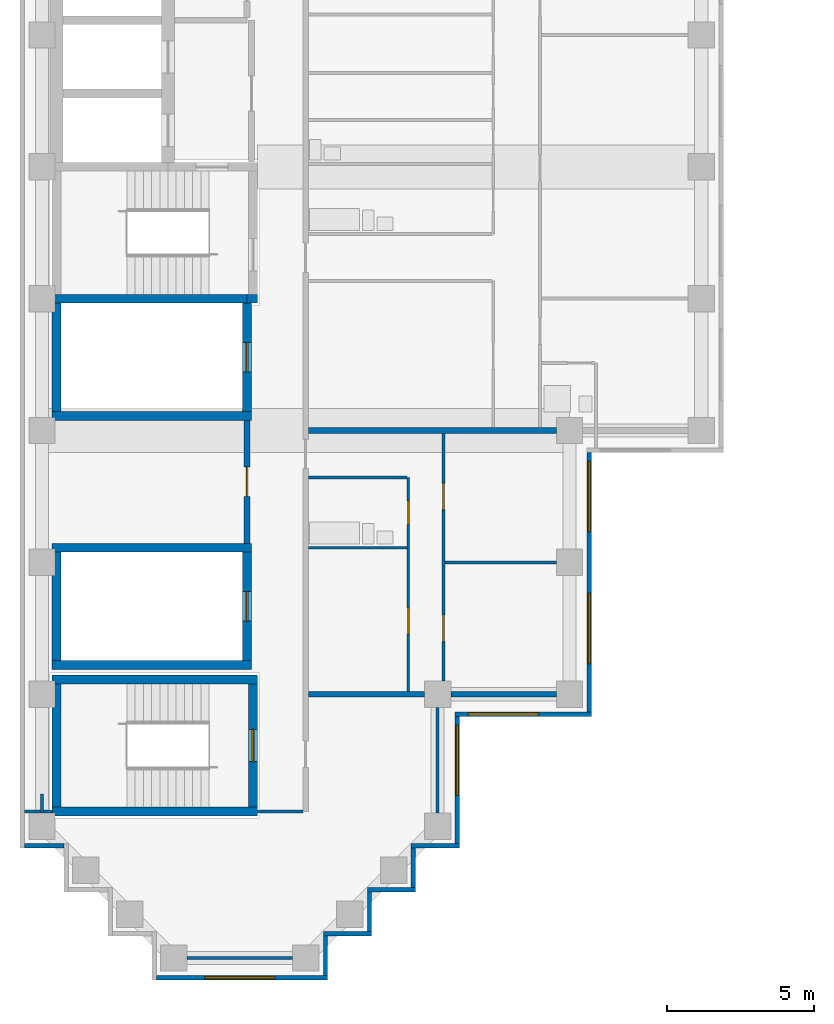
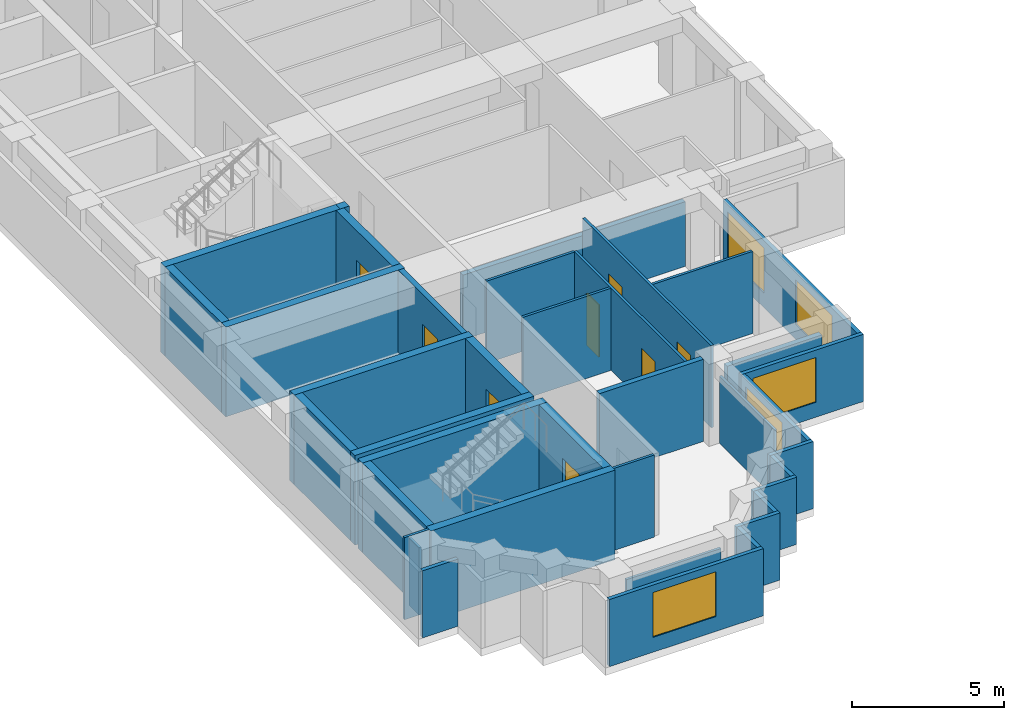
# One storey, part 2 of 10: 38 walls, 8 doors, 5 windows, 13 openings.
"""IFC4 building model written with IfcOpenShell, lengths in metres."""

from ifc_helpers import new_model, si_unit, direction, frame, frame_2d, origin, place, context, subcontext, project, spatial, rectangle, extrude, material, layer, layer_set, type_object, element, fill, save


model = new_model("IFC4")

# Units and contexts
model_context = context("Model", 3, precision=1e-05, world=origin(), true_north=direction((0.0, 1.0)))
body_context = subcontext(model_context, "Body", "Model", "MODEL_VIEW")
ifc_project = project(units=[si_unit("LENGTHUNIT", "METRE"), si_unit("AREAUNIT", "SQUARE_METRE"), si_unit("VOLUMEUNIT", "CUBIC_METRE"), si_unit("PLANEANGLEUNIT", "RADIAN"), si_unit("MASSUNIT", "GRAM", prefix="KILO")], contexts=[model_context])

# Site, building, storey
site_placement = place(None, origin())
site = spatial("IfcSite", under=ifc_project, at=site_placement, CompositionType="ELEMENT")
building_placement = place(site_placement, origin())
building = spatial("IfcBuilding", under=site, at=building_placement, Name="Firuza Court", CompositionType="ELEMENT")
storey_placement = place(building_placement, frame((0.0, 0.0, 197.0)))
storey = spatial("IfcBuildingStorey", under=building, at=storey_placement, Name="L50", CompositionType="ELEMENT", Elevation=197.0)

# Walls
ifc_material_1 = material(Name="Moisture-resistant gypsum board partition")
ifc_layer_1 = layer(ifc_material_1, 0.10009765625)
ifc_layer_set_1 = layer_set([ifc_layer_1], Name="Moisture-resistant gypsum board partition")
wall_type_1 = type_object("IfcWallType", Name="Bathroom partition 100", PredefinedType="PLUMBINGWALL", material=ifc_layer_set_1)
for number, where, z_axis, x_axis, name in (
    (1, (9.10009765625, 14.0, 0.0), (0.0, 0.0, 1.0), (1.0, 0.0, 0.0), "Bathroom partition 100 L50"),
    (2, (9.10009765625, 16.39990234375, 0.0), (0.0, 0.0, 1.0), (1.0, 0.0, 0.0), "Bathroom partition 100 L50"),
):
    element("IfcWall", number, at=place(storey_placement, frame(where, z_axis=z_axis, x_axis=x_axis)), inside=storey, type_object=wall_type_1, Name=name, PredefinedType="PLUMBINGWALL", context=body_context, shape_type="SweptSolid", body=[
        extrude(rectangle(XDim=3.349853515625, YDim=0.10009765625, at=frame_2d((1.6748046875, 0.0))), origin(), (0.0, 0.0, 1.0), 3.300048828125),
    ])
ifc_material_2 = material(Name="Concrete C50/60", Category="concrete")
ifc_layer_2 = layer(ifc_material_2, 0.300048828125)
ifc_layer_set_2 = layer_set([ifc_layer_2], Name="Concrete C50/60")
wall_type_2 = type_object("IfcWallType", Name="Core wall 300 C50/60", PredefinedType="SHEAR", material=ifc_layer_set_2)
for number, where, z_axis, x_axis, name in (
    (3, (0.35009765625, 5.0, -0.300048828125), (0.0, 0.0, 1.0), (1.0, 0.0, 0.0), "Core wall stair L50"),
    (4, (0.35009765625, 9.5, -0.300048828125), (0.0, 0.0, 1.0), (1.0, 0.0, 0.0), "Core wall stair L50"),
):
    element("IfcWall", number, at=place(storey_placement, frame(where, z_axis=z_axis, x_axis=x_axis)), inside=storey, type_object=wall_type_2, Name=name, PredefinedType="SHEAR", context=body_context, shape_type="SweptSolid", body=[
        extrude(rectangle(XDim=7.0, YDim=0.300048828125, at=frame_2d((3.5, 0.0))), origin(), (0.0, 0.0, 1.0), 3.60009765625),
    ])
for number, where, z_axis, x_axis, name in (
    (5, (0.35009765625, 10.0, -0.300048828125), (0.0, 0.0, 1.0), (1.0, 0.0, 0.0), "Core wall riser L50"),
    (6, (0.35009765625, 14.0, -0.300048828125), (0.0, 0.0, 1.0), (1.0, 0.0, 0.0), "Core wall riser L50"),
    (7, (0.35009765625, 18.5, -0.300048828125), (0.0, 0.0, 1.0), (1.0, 0.0, 0.0), "Core wall riser L50"),
):
    element("IfcWall", number, at=place(storey_placement, frame(where, z_axis=z_axis, x_axis=x_axis)), inside=storey, type_object=wall_type_2, Name=name, PredefinedType="SHEAR", context=body_context, shape_type="SweptSolid", body=[
        extrude(rectangle(XDim=6.7998046875, YDim=0.300048828125, at=frame_2d((3.39990234375, 0.0))), origin(), (0.0, 0.0, 1.0), 3.60009765625),
    ])
wall_1_placement = place(storey_placement, frame((0.35009765625, 22.5, -0.300048828125), z_axis=(0.0, 0.0, 1.0), x_axis=(1.0, 0.0, 0.0)))
element("IfcWall", 8, at=wall_1_placement, inside=storey, type_object=wall_type_2, Name="Core wall riser L50", PredefinedType="SHEAR", context=body_context, shape_type="SweptSolid", body=[
    extrude(rectangle(XDim=6.64990234375, YDim=0.300048828125, at=frame_2d((3.324951171875, 0.0))), origin(), (0.0, 0.0, 1.0), 3.60009765625),
])
wall_2_placement = place(storey_placement, frame((0.5, 5.14990234375, -0.300048828125), z_axis=(0.0, 0.0, 1.0), x_axis=(0.0, 1.0, 0.0)))
element("IfcWall", 9, at=wall_2_placement, inside=storey, type_object=wall_type_2, Name="Core wall stair L50", PredefinedType="SHEAR", context=body_context, shape_type="SweptSolid", body=[
    extrude(rectangle(XDim=4.2001953125, YDim=0.300048828125, at=frame_2d((2.10009765625, 0.0))), origin(), (0.0, 0.0, 1.0), 3.60009765625),
])
for number, where, z_axis, x_axis, name in (
    (10, (0.5, 10.14990234375, -0.300048828125), (0.0, 0.0, 1.0), (0.0, 1.0, 0.0), "Core wall riser L50"),
    (11, (0.5, 18.64990234375, -0.300048828125), (0.0, 0.0, 1.0), (0.0, 1.0, 0.0), "Core wall riser L50"),
):
    element("IfcWall", number, at=place(storey_placement, frame(where, z_axis=z_axis, x_axis=x_axis)), inside=storey, type_object=wall_type_2, Name=name, PredefinedType="SHEAR", context=body_context, shape_type="SweptSolid", body=[
        extrude(rectangle(XDim=3.7001953125, YDim=0.300048828125, at=frame_2d((1.85009765625, 0.0))), origin(), (0.0, 0.0, 1.0), 3.60009765625),
    ])

# Wall, opening, door
wall_3_placement = place(storey_placement, frame((7.0, 10.14990234375, -0.300048828125), z_axis=(0.0, 0.0, 1.0), x_axis=(0.0, 1.0, 0.0)))
wall_3 = element("IfcWall", 12, at=wall_3_placement, inside=storey, type_object=wall_type_2, Name="Core wall riser L50", PredefinedType="SHEAR", context=body_context, shape_type="SweptSolid", body=[
    extrude(rectangle(XDim=3.7001953125, YDim=0.300048828125, at=frame_2d((1.85009765625, 0.0))), origin(), (0.0, 0.0, 1.0), 3.60009765625),
])
opening_1_placement = place(wall_3_placement, frame((1.35009765625, 0.0, 0.300048828125)))
opening_1 = element("IfcOpeningElement", 13, at=opening_1_placement, cuts=wall_3, Name="Opening D50010", PredefinedType="OPENING", context=body_context, shape_type="SweptSolid", body=[
    extrude(rectangle(XDim=1.0, YDim=2.10009765625, at=frame_2d((0.5, 1.050048828125))), frame((0.0, 0.162109375, 0.0), z_axis=(0.0, -1.0, 0.0), x_axis=(1.0, 0.0, 0.0)), (0.0, 0.0, 1.0), 0.323974609375),
])
ifc_material_3 = material(Name="Timber door leaf in hardwood frame", Category="wood")
door_type_1 = type_object("IfcDoorType", Name="Riser door 1000", OperationType="SINGLE_SWING_LEFT", PredefinedType="DOOR", material=ifc_material_3)
door_1_placement = place(opening_1_placement, origin())
door_1 = element("IfcDoor", 14, at=door_1_placement, inside=storey, type_object=door_type_1, Name="Riser door R4", OperationType="SINGLE_SWING_LEFT", OverallHeight=2.10009765625, OverallWidth=1.0, PredefinedType="DOOR", context=body_context, shape_type="SweptSolid", body=[
    extrude(rectangle(XDim=1.0, YDim=2.10009765625, at=frame_2d((0.5, 1.050048828125))), frame((0.0, 0.02490234375, 0.0), z_axis=(0.0, -1.0, 0.0), x_axis=(1.0, 0.0, 0.0)), (0.0, 0.0, 1.0), 0.050048828125),
])
fill(opening_1, door_1)

wall_4_placement = place(storey_placement, frame((7.0, 18.64990234375, -0.300048828125), z_axis=(0.0, 0.0, 1.0), x_axis=(0.0, 1.0, 0.0)))
wall_4 = element("IfcWall", 15, at=wall_4_placement, inside=storey, type_object=wall_type_2, Name="Core wall riser L50", PredefinedType="SHEAR", context=body_context, shape_type="SweptSolid", body=[
    extrude(rectangle(XDim=3.7001953125, YDim=0.300048828125, at=frame_2d((1.85009765625, 0.0))), origin(), (0.0, 0.0, 1.0), 3.60009765625),
])
opening_2_placement = place(wall_4_placement, frame((1.35009765625, 0.0, 0.300048828125)))
opening_2 = element("IfcOpeningElement", 16, at=opening_2_placement, cuts=wall_4, Name="Opening D50008", PredefinedType="OPENING", context=body_context, shape_type="SweptSolid", body=[
    extrude(rectangle(XDim=1.0, YDim=2.10009765625, at=frame_2d((0.5, 1.050048828125))), frame((0.0, 0.162109375, 0.0), z_axis=(0.0, -1.0, 0.0), x_axis=(1.0, 0.0, 0.0)), (0.0, 0.0, 1.0), 0.323974609375),
])
door_2_placement = place(opening_2_placement, origin())
door_2 = element("IfcDoor", 17, at=door_2_placement, inside=storey, type_object=door_type_1, Name="Riser door R1", OperationType="SINGLE_SWING_LEFT", OverallHeight=2.10009765625, OverallWidth=1.0, PredefinedType="DOOR", context=body_context, shape_type="SweptSolid", body=[
    extrude(rectangle(XDim=1.0, YDim=2.10009765625, at=frame_2d((0.5, 1.050048828125))), frame((0.0, 0.02490234375, 0.0), z_axis=(0.0, -1.0, 0.0), x_axis=(1.0, 0.0, 0.0)), (0.0, 0.0, 1.0), 0.050048828125),
])
fill(opening_2, door_2)

# Wall
wall_5_placement = place(storey_placement, frame((7.0, 22.5, -0.300048828125), z_axis=(0.0, 0.0, 1.0), x_axis=(1.0, 0.0, 0.0)))
element("IfcWall", 18, at=wall_5_placement, inside=storey, type_object=wall_type_2, Name="Core wall stair L50", PredefinedType="SHEAR", context=body_context, shape_type="SweptSolid", body=[
    extrude(rectangle(XDim=0.35009765625, YDim=0.300048828125, at=frame_2d((0.175048828125, 0.0))), origin(), (0.0, 0.0, 1.0), 3.60009765625),
])

# Wall, opening, door
wall_6_placement = place(storey_placement, frame((7.199951171875, 5.14990234375, -0.300048828125), z_axis=(0.0, 0.0, 1.0), x_axis=(0.0, 1.0, 0.0)))
wall_6 = element("IfcWall", 19, at=wall_6_placement, inside=storey, type_object=wall_type_2, Name="Core wall stair L50", PredefinedType="SHEAR", context=body_context, shape_type="SweptSolid", body=[
    extrude(rectangle(XDim=4.2001953125, YDim=0.300048828125, at=frame_2d((2.10009765625, 0.0))), origin(), (0.0, 0.0, 1.0), 3.60009765625),
])
opening_3_placement = place(wall_6_placement, frame((1.550048828125, 0.0, 0.300048828125)))
opening_3 = element("IfcOpeningElement", 20, at=opening_3_placement, cuts=wall_6, Name="Opening D50015", PredefinedType="OPENING", context=body_context, shape_type="SweptSolid", body=[
    extrude(rectangle(XDim=1.10009765625, YDim=2.10009765625, at=frame_2d((0.550048828125, 1.050048828125))), frame((0.0, 0.162109375, 0.0), z_axis=(0.0, -1.0, 0.0), x_axis=(1.0, 0.0, 0.0)), (0.0, 0.0, 1.0), 0.323974609375),
])
ifc_material_4 = material(Name="Timber door leaf in hardwood frame", Category="wood")
door_type_2 = type_object("IfcDoorType", Name="Stair door 1100", OperationType="SINGLE_SWING_LEFT", PredefinedType="DOOR", material=ifc_material_4)
door_3_placement = place(opening_3_placement, origin())
door_3 = element("IfcDoor", 21, at=door_3_placement, inside=storey, type_object=door_type_2, Name="Stair door S5", OperationType="SINGLE_SWING_LEFT", OverallHeight=2.10009765625, OverallWidth=1.10009765625, PredefinedType="DOOR", context=body_context, shape_type="SweptSolid", body=[
    extrude(rectangle(XDim=1.10009765625, YDim=2.10009765625, at=frame_2d((0.550048828125, 1.050048828125))), frame((0.0, 0.02490234375, 0.0), z_axis=(0.0, -1.0, 0.0), x_axis=(1.0, 0.0, 0.0)), (0.0, 0.0, 1.0), 0.050048828125),
])
fill(opening_3, door_3)

ifc_material_5 = material(Name="Blockwork, plastered both sides", Category="masonry")
ifc_layer_3 = layer(ifc_material_5, 0.199951171875)
ifc_layer_set_3 = layer_set([ifc_layer_3], Name="Blockwork, plastered both sides")
wall_type_3 = type_object("IfcWallType", Name="Corridor wall 200", PredefinedType="PARTITIONING", material=ifc_layer_set_3)
wall_7_placement = place(storey_placement, frame((7.0, 14.14990234375, 0.0), z_axis=(0.0, 0.0, 1.0), x_axis=(0.0, 1.0, 0.0)))
wall_7 = element("IfcWall", 22, at=wall_7_placement, inside=storey, type_object=wall_type_3, Name="Corridor wall 200 L50", PredefinedType="PARTITIONING", context=body_context, shape_type="SweptSolid", body=[
    extrude(rectangle(XDim=4.2001953125, YDim=0.199951171875, at=frame_2d((2.10009765625, 0.0))), origin(), (0.0, 0.0, 1.0), 3.300048828125),
])
opening_4_placement = place(wall_7_placement, frame((1.60009765625, 0.0, 0.0)))
opening_4 = element("IfcOpeningElement", 23, at=opening_4_placement, cuts=wall_7, Name="Opening D50023", PredefinedType="OPENING", context=body_context, shape_type="SweptSolid", body=[
    extrude(rectangle(XDim=1.0, YDim=2.10009765625, at=frame_2d((0.5, 1.050048828125))), frame((0.0, 0.11181640625, 0.0), z_axis=(0.0, -1.0, 0.0), x_axis=(1.0, 0.0, 0.0)), (0.0, 0.0, 1.0), 0.223876953125),
])
ifc_material_6 = material(Name="Timber door leaf in hardwood frame", Category="wood")
door_type_3 = type_object("IfcDoorType", Name="Store door 1000", OperationType="SINGLE_SWING_LEFT", PredefinedType="DOOR", material=ifc_material_6)
door_4_placement = place(opening_4_placement, origin())
door_4 = element("IfcDoor", 24, at=door_4_placement, inside=storey, type_object=door_type_3, Name="Parcel room door", OperationType="SINGLE_SWING_LEFT", OverallHeight=2.10009765625, OverallWidth=1.0, PredefinedType="DOOR", context=body_context, shape_type="SweptSolid", body=[
    extrude(rectangle(XDim=1.0, YDim=2.10009765625, at=frame_2d((0.5, 1.050048828125))), frame((0.0, 0.02490234375, 0.0), z_axis=(0.0, -1.0, 0.0), x_axis=(1.0, 0.0, 0.0)), (0.0, 0.0, 1.0), 0.050048828125),
])
fill(opening_4, door_4)

# Walls
ifc_material_7 = material(Name="Timber stud partition, plasterboard both sides", Category="wood")
ifc_layer_4 = layer(ifc_material_7, 0.10009765625)
ifc_layer_set_4 = layer_set([ifc_layer_4], Name="Timber stud partition, plasterboard both sides")
wall_type_4 = type_object("IfcWallType", Name="Partition wall 100", PredefinedType="PARTITIONING", material=ifc_layer_set_4)
wall_8_placement = place(storey_placement, frame((4.949951171875, 0.0, 0.0), z_axis=(0.0, 0.0, 1.0), x_axis=(1.0, 0.0, 0.0)))
element("IfcWall", 25, at=wall_8_placement, inside=storey, type_object=wall_type_4, Name="Partition wall 100 L50", PredefinedType="PARTITIONING", context=body_context, shape_type="SweptSolid", body=[
    extrude(rectangle(XDim=3.60009765625, YDim=0.10009765625, at=frame_2d((1.800048828125, 0.0))), origin(), (0.0, 0.0, 1.0), 2.699951171875),
])
wall_9_placement = place(storey_placement, frame((0.0, 4.949951171875, 0.0), z_axis=(0.0, 0.0, 1.0), x_axis=(0.0, 1.0, 0.0)))
element("IfcWall", 26, at=wall_9_placement, inside=storey, type_object=wall_type_4, Name="Partition wall 100 L50", PredefinedType="PARTITIONING", context=body_context, shape_type="SweptSolid", body=[
    extrude(rectangle(XDim=0.650146484375, YDim=0.10009765625, at=frame_2d((0.3251953125, 0.0))), origin(), (0.0, 0.0, 1.0), 2.699951171875),
])
wall_10_placement = place(storey_placement, frame((13.5, 4.949951171875, 0.0), z_axis=(0.0, 0.0, 1.0), x_axis=(0.0, 1.0, 0.0)))
element("IfcWall", 27, at=wall_10_placement, inside=storey, type_object=wall_type_4, Name="Partition wall 100 L50", PredefinedType="PARTITIONING", context=body_context, shape_type="SweptSolid", body=[
    extrude(rectangle(XDim=3.60009765625, YDim=0.10009765625, at=frame_2d((1.800048828125, 0.0))), origin(), (0.0, 0.0, 1.0), 2.699951171875),
])
wall_11_placement = place(storey_placement, frame((-0.60009765625, 5.0, 0.0), z_axis=(0.0, 0.0, 1.0), x_axis=(1.0, 0.0, 0.0)))
element("IfcWall", 28, at=wall_11_placement, inside=storey, type_object=wall_type_4, Name="Partition wall 100 L50", PredefinedType="PARTITIONING", context=body_context, shape_type="SweptSolid", body=[
    extrude(rectangle(XDim=0.951171875, YDim=0.10009765625, at=frame_2d((0.4755859375, 0.0))), origin(), (0.0, 0.0, 1.0), 3.300048828125),
])
wall_12_placement = place(storey_placement, frame((7.34912109375, 5.0, 0.0), z_axis=(0.0, 0.0, 1.0), x_axis=(1.0, 0.0, 0.0)))
element("IfcWall", 29, at=wall_12_placement, inside=storey, type_object=wall_type_4, Name="Partition wall 100 L50", PredefinedType="PARTITIONING", context=body_context, shape_type="SweptSolid", body=[
    extrude(rectangle(XDim=1.55078125, YDim=0.10009765625, at=frame_2d((0.775390625, 0.0))), origin(), (0.0, 0.0, 1.0), 3.300048828125),
])

# Wall, openings, doors
wall_13_placement = place(storey_placement, frame((12.5, 9.10009765625, 0.0), z_axis=(0.0, 0.0, 1.0), x_axis=(0.0, 1.0, 0.0)))
wall_13 = element("IfcWall", 30, at=wall_13_placement, inside=storey, type_object=wall_type_4, Name="Partition wall 100 L50", PredefinedType="PARTITIONING", context=body_context, shape_type="SweptSolid", body=[
    extrude(rectangle(XDim=7.2998046875, YDim=0.10009765625, at=frame_2d((3.64990234375, 0.0))), origin(), (0.0, 0.0, 1.0), 3.300048828125),
])
opening_5_placement = place(wall_13_placement, frame((5.699951171875, 0.0, 0.0)))
opening_5 = element("IfcOpeningElement", 31, at=opening_5_placement, cuts=wall_13, Name="Opening D50019", PredefinedType="OPENING", context=body_context, shape_type="SweptSolid", body=[
    extrude(rectangle(XDim=0.800048828125, YDim=2.10009765625, at=frame_2d((0.39990234375, 1.050048828125))), frame((0.0, 0.06201171875, 0.0), z_axis=(0.0, -1.0, 0.0), x_axis=(1.0, 0.0, 0.0)), (0.0, 0.0, 1.0), 0.1240234375),
])
opening_6_placement = place(wall_13_placement, frame((1.949951171875, 0.0, 0.0)))
opening_6 = element("IfcOpeningElement", 32, at=opening_6_placement, cuts=wall_13, Name="Opening D50020", PredefinedType="OPENING", context=body_context, shape_type="SweptSolid", body=[
    extrude(rectangle(XDim=0.89990234375, YDim=2.10009765625, at=frame_2d((0.449951171875, 1.050048828125))), frame((0.0, 0.06201171875, 0.0), z_axis=(0.0, -1.0, 0.0), x_axis=(1.0, 0.0, 0.0)), (0.0, 0.0, 1.0), 0.1240234375),
])
ifc_material_8 = material(Name="Timber door leaf in hardwood frame", Category="wood")
door_type_4 = type_object("IfcDoorType", Name="Bathroom door 800", OperationType="SINGLE_SWING_LEFT", PredefinedType="DOOR", material=ifc_material_8)
door_5_placement = place(opening_5_placement, origin())
door_5 = element("IfcDoor", 33, at=door_5_placement, inside=storey, type_object=door_type_4, Name="Bathroom door", OperationType="SINGLE_SWING_LEFT", OverallHeight=2.10009765625, OverallWidth=0.800048828125, PredefinedType="DOOR", context=body_context, shape_type="SweptSolid", body=[
    extrude(rectangle(XDim=0.800048828125, YDim=2.10009765625, at=frame_2d((0.39990234375, 1.050048828125))), frame((0.0, 0.02490234375, 0.0), z_axis=(0.0, -1.0, 0.0), x_axis=(1.0, 0.0, 0.0)), (0.0, 0.0, 1.0), 0.050048828125),
])
fill(opening_5, door_5)
ifc_material_9 = material(Name="Timber door leaf in hardwood frame", Category="wood")
door_type_5 = type_object("IfcDoorType", Name="Room door 900", OperationType="SINGLE_SWING_LEFT", PredefinedType="DOOR", material=ifc_material_9)
door_6_placement = place(opening_6_placement, origin())
door_6 = element("IfcDoor", 34, at=door_6_placement, inside=storey, type_object=door_type_5, Name="Kitchen door", OperationType="SINGLE_SWING_LEFT", OverallHeight=2.10009765625, OverallWidth=0.89990234375, PredefinedType="DOOR", context=body_context, shape_type="SweptSolid", body=[
    extrude(rectangle(XDim=0.89990234375, YDim=2.10009765625, at=frame_2d((0.449951171875, 1.050048828125))), frame((0.0, 0.02490234375, 0.0), z_axis=(0.0, -1.0, 0.0), x_axis=(1.0, 0.0, 0.0)), (0.0, 0.0, 1.0), 0.050048828125),
])
fill(opening_6, door_6)

wall_14_placement = place(storey_placement, frame((13.699951171875, 9.449951171875, 0.0), z_axis=(0.0, 0.0, 1.0), x_axis=(0.0, 1.0, 0.0)))
wall_14 = element("IfcWall", 35, at=wall_14_placement, inside=storey, type_object=wall_type_4, Name="Partition wall 100 L50", PredefinedType="PARTITIONING", context=body_context, shape_type="SweptSolid", body=[
    extrude(rectangle(XDim=8.449951171875, YDim=0.10009765625, at=frame_2d((4.22509765625, 0.0))), origin(), (0.0, 0.0, 1.0), 3.300048828125),
])
opening_7_placement = place(wall_14_placement, frame((1.35009765625, 0.0, 0.0)))
opening_7 = element("IfcOpeningElement", 36, at=opening_7_placement, cuts=wall_14, Name="Opening D50021", PredefinedType="OPENING", context=body_context, shape_type="SweptSolid", body=[
    extrude(rectangle(XDim=0.89990234375, YDim=2.10009765625, at=frame_2d((0.449951171875, 1.050048828125))), frame((0.0, 0.06201171875, 0.0), z_axis=(0.0, -1.0, 0.0), x_axis=(1.0, 0.0, 0.0)), (0.0, 0.0, 1.0), 0.1240234375),
])
opening_8_placement = place(wall_14_placement, frame((5.85009765625, 0.0, 0.0)))
opening_8 = element("IfcOpeningElement", 37, at=opening_8_placement, cuts=wall_14, Name="Opening D50022", PredefinedType="OPENING", context=body_context, shape_type="SweptSolid", body=[
    extrude(rectangle(XDim=0.89990234375, YDim=2.10009765625, at=frame_2d((0.449951171875, 1.050048828125))), frame((0.0, 0.06201171875, 0.0), z_axis=(0.0, -1.0, 0.0), x_axis=(1.0, 0.0, 0.0)), (0.0, 0.0, 1.0), 0.1240234375),
])
door_7_placement = place(opening_7_placement, frame((0.89990234375, 0.0, 0.0), z_axis=(0.0, 0.0, 1.0), x_axis=(-1.0, 0.0, 0.0)))
door_7 = element("IfcDoor", 38, at=door_7_placement, inside=storey, type_object=door_type_5, Name="Bedroom door", OperationType="SINGLE_SWING_RIGHT", OverallHeight=2.10009765625, OverallWidth=0.89990234375, PredefinedType="DOOR", context=body_context, shape_type="SweptSolid", body=[
    extrude(rectangle(XDim=0.89990234375, YDim=2.10009765625, at=frame_2d((0.449951171875, 1.050048828125))), frame((0.0, 0.02490234375, 0.0), z_axis=(0.0, -1.0, 0.0), x_axis=(1.0, 0.0, 0.0)), (0.0, 0.0, 1.0), 0.050048828125),
])
fill(opening_7, door_7)
door_8_placement = place(opening_8_placement, frame((0.89990234375, 0.0, 0.0), z_axis=(0.0, 0.0, 1.0), x_axis=(-1.0, 0.0, 0.0)))
door_8 = element("IfcDoor", 39, at=door_8_placement, inside=storey, type_object=door_type_5, Name="Living room door", OperationType="SINGLE_SWING_RIGHT", OverallHeight=2.10009765625, OverallWidth=0.89990234375, PredefinedType="DOOR", context=body_context, shape_type="SweptSolid", body=[
    extrude(rectangle(XDim=0.89990234375, YDim=2.10009765625, at=frame_2d((0.449951171875, 1.050048828125))), frame((0.0, 0.02490234375, 0.0), z_axis=(0.0, -1.0, 0.0), x_axis=(1.0, 0.0, 0.0)), (0.0, 0.0, 1.0), 0.050048828125),
])
fill(opening_8, door_8)

# Walls
wall_15_placement = place(storey_placement, frame((13.75, 13.5, 0.0), z_axis=(0.0, 0.0, 1.0), x_axis=(1.0, 0.0, 0.0)))
element("IfcWall", 40, at=wall_15_placement, inside=storey, type_object=wall_type_4, Name="Partition wall 100 L50", PredefinedType="PARTITIONING", context=body_context, shape_type="SweptSolid", body=[
    extrude(rectangle(XDim=3.800048828125, YDim=0.10009765625, at=frame_2d((1.89990234375, 0.0))), origin(), (0.0, 0.0, 1.0), 3.300048828125),
])
ifc_layer_5 = layer(ifc_material_5, 0.199951171875)
ifc_layer_set_5 = layer_set([ifc_layer_5], Name="Blockwork, plastered both sides")
wall_type_5 = type_object("IfcWallType", Name="Party wall 200", PredefinedType="PARTITIONING", material=ifc_layer_set_5)
wall_16_placement = place(storey_placement, frame((9.10009765625, 9.0, 0.0), z_axis=(0.0, 0.0, 1.0), x_axis=(1.0, 0.0, 0.0)))
element("IfcWall", 41, at=wall_16_placement, inside=storey, type_object=wall_type_5, Name="Party wall 200 L50", PredefinedType="PARTITIONING", context=body_context, shape_type="SweptSolid", body=[
    extrude(rectangle(XDim=3.949951171875, YDim=0.199951171875, at=frame_2d((1.97509765625, 0.0))), origin(), (0.0, 0.0, 1.0), 3.300048828125),
])
wall_17_placement = place(storey_placement, frame((13.949951171875, 9.0, 0.0), z_axis=(0.0, 0.0, 1.0), x_axis=(1.0, 0.0, 0.0)))
element("IfcWall", 42, at=wall_17_placement, inside=storey, type_object=wall_type_5, Name="Party wall 200 L50", PredefinedType="PARTITIONING", context=body_context, shape_type="SweptSolid", body=[
    extrude(rectangle(XDim=3.60009765625, YDim=0.199951171875, at=frame_2d((1.800048828125, 0.0))), origin(), (0.0, 0.0, 1.0), 2.699951171875),
])
wall_18_placement = place(storey_placement, frame((9.10009765625, 18.0, 0.0), z_axis=(0.0, 0.0, 1.0), x_axis=(1.0, 0.0, 0.0)))
element("IfcWall", 43, at=wall_18_placement, inside=storey, type_object=wall_type_5, Name="Party wall 200 L50", PredefinedType="PARTITIONING", context=body_context, shape_type="SweptSolid", body=[
    extrude(rectangle(XDim=8.449951171875, YDim=0.199951171875, at=frame_2d((4.22509765625, 0.0))), origin(), (0.0, 0.0, 1.0), 2.60009765625),
])
ifc_material_10 = material(Name="Ceramic tile", Category="ceramic")
ifc_layer_6 = layer(ifc_material_10, 0.02001953125)
ifc_material_11 = material(Name="Mineral wool insulation", Category="insulation")
ifc_layer_7 = layer(ifc_material_11, 0.050048828125)
ifc_material_12 = material(Name="Concrete C40/50 precast", Category="concrete")
ifc_layer_8 = layer(ifc_material_12, 0.080078125)
ifc_layer_set_6 = layer_set([ifc_layer_6, ifc_layer_7, ifc_layer_8], Name="Concrete C40/50 precast")
wall_type_6 = type_object("IfcWallType", Name="Precast cladding wall with turquoise TILE PANEL face 150", PredefinedType="STANDARD", material=ifc_layer_set_6)
wall_19_placement = place(storey_placement, frame((-0.60009765625, 3.824951171875, 0.0), z_axis=(0.0, 0.0, 1.0), x_axis=(1.0, 0.0, 0.0)))
element("IfcWall", 44, at=wall_19_placement, inside=storey, type_object=wall_type_6, Name="Facade wall L50 S", PredefinedType="STANDARD", context=body_context, shape_type="SweptSolid", body=[
    extrude(rectangle(XDim=1.35009765625, YDim=0.14990234375, at=frame_2d((0.675048828125, 0.0))), origin(), (0.0, 0.0, 1.0), 2.699951171875),
])

# Wall, opening, window
wall_20_placement = place(storey_placement, frame((3.89990234375, -0.675048828125, 0.0), z_axis=(0.0, 0.0, 1.0), x_axis=(1.0, 0.0, 0.0)))
wall_20 = element("IfcWall", 45, at=wall_20_placement, inside=storey, type_object=wall_type_6, Name="Facade wall L50 S", PredefinedType="STANDARD", context=body_context, shape_type="SweptSolid", body=[
    extrude(rectangle(XDim=5.85009765625, YDim=0.14990234375, at=frame_2d((2.925048828125, 0.0))), origin(), (0.0, 0.0, 1.0), 2.699951171875),
])
opening_9_placement = place(wall_20_placement, frame((1.64990234375, 0.0, 0.60009765625)))
opening_9 = element("IfcOpeningElement", 46, at=opening_9_placement, cuts=wall_20, Name="Opening W1", PredefinedType="OPENING", context=body_context, shape_type="SweptSolid", body=[
    extrude(rectangle(XDim=2.39990234375, YDim=1.800048828125, at=frame_2d((1.199951171875, 0.89990234375))), frame((0.0, 0.0869140625, 0.0), z_axis=(0.0, -1.0, 0.0), x_axis=(1.0, 0.0, 0.0)), (0.0, 0.0, 1.0), 0.173828125),
])
ifc_material_13 = material(Name="Aluminium frame, triple clear glazing", Category="aluminium")
window_type = type_object("IfcWindowType", Name="Window W1 2400 x 1800", PartitioningType="SINGLE_PANEL", PredefinedType="WINDOW", material=ifc_material_13)
window_1_placement = place(opening_9_placement, origin())
window_1 = element("IfcWindow", 47, at=window_1_placement, inside=storey, type_object=window_type, Name="Window L50", OverallHeight=1.800048828125, OverallWidth=2.39990234375, PartitioningType="SINGLE_PANEL", PredefinedType="WINDOW", context=body_context, shape_type="SweptSolid", body=[
    extrude(rectangle(XDim=2.39990234375, YDim=1.800048828125, at=frame_2d((1.199951171875, 0.89990234375))), frame((0.0, 0.030029296875, 0.0), z_axis=(0.0, -1.0, 0.0), x_axis=(1.0, 0.0, 0.0)), (0.0, 0.0, 1.0), 0.06005859375),
])
fill(opening_9, window_1)

# Walls
wall_21_placement = place(storey_placement, frame((9.675048828125, -0.60009765625, 0.0), z_axis=(0.0, 0.0, 1.0), x_axis=(0.0, 1.0, 0.0)))
element("IfcWall", 48, at=wall_21_placement, inside=storey, type_object=wall_type_6, Name="Facade wall L50 E", PredefinedType="STANDARD", context=body_context, shape_type="SweptSolid", body=[
    extrude(rectangle(XDim=1.35009765625, YDim=0.14990234375, at=frame_2d((0.675048828125, 0.0))), origin(), (0.0, 0.0, 1.0), 2.699951171875),
])
wall_22_placement = place(storey_placement, frame((9.60009765625, 0.824951171875, 0.0), z_axis=(0.0, 0.0, 1.0), x_axis=(1.0, 0.0, 0.0)))
element("IfcWall", 49, at=wall_22_placement, inside=storey, type_object=wall_type_6, Name="Facade wall L50 S", PredefinedType="STANDARD", context=body_context, shape_type="SweptSolid", body=[
    extrude(rectangle(XDim=1.64990234375, YDim=0.14990234375, at=frame_2d((0.824951171875, 0.0))), origin(), (0.0, 0.0, 1.0), 2.699951171875),
])
wall_23_placement = place(storey_placement, frame((11.175048828125, 0.89990234375, 0.0), z_axis=(0.0, 0.0, 1.0), x_axis=(0.0, 1.0, 0.0)))
element("IfcWall", 50, at=wall_23_placement, inside=storey, type_object=wall_type_6, Name="Facade wall L50 E", PredefinedType="STANDARD", context=body_context, shape_type="SweptSolid", body=[
    extrude(rectangle(XDim=1.35009765625, YDim=0.14990234375, at=frame_2d((0.675048828125, 0.0))), origin(), (0.0, 0.0, 1.0), 2.699951171875),
])
wall_24_placement = place(storey_placement, frame((11.10009765625, 2.324951171875, 0.0), z_axis=(0.0, 0.0, 1.0), x_axis=(1.0, 0.0, 0.0)))
element("IfcWall", 51, at=wall_24_placement, inside=storey, type_object=wall_type_6, Name="Facade wall L50 S", PredefinedType="STANDARD", context=body_context, shape_type="SweptSolid", body=[
    extrude(rectangle(XDim=1.64990234375, YDim=0.14990234375, at=frame_2d((0.824951171875, 0.0))), origin(), (0.0, 0.0, 1.0), 2.699951171875),
])
wall_25_placement = place(storey_placement, frame((12.675048828125, 2.39990234375, 0.0), z_axis=(0.0, 0.0, 1.0), x_axis=(0.0, 1.0, 0.0)))
element("IfcWall", 52, at=wall_25_placement, inside=storey, type_object=wall_type_6, Name="Facade wall L50 E", PredefinedType="STANDARD", context=body_context, shape_type="SweptSolid", body=[
    extrude(rectangle(XDim=1.35009765625, YDim=0.14990234375, at=frame_2d((0.675048828125, 0.0))), origin(), (0.0, 0.0, 1.0), 2.699951171875),
])
wall_26_placement = place(storey_placement, frame((12.60009765625, 3.824951171875, 0.0), z_axis=(0.0, 0.0, 1.0), x_axis=(1.0, 0.0, 0.0)))
element("IfcWall", 53, at=wall_26_placement, inside=storey, type_object=wall_type_6, Name="Facade wall L50 S", PredefinedType="STANDARD", context=body_context, shape_type="SweptSolid", body=[
    extrude(rectangle(XDim=1.64990234375, YDim=0.14990234375, at=frame_2d((0.824951171875, 0.0))), origin(), (0.0, 0.0, 1.0), 2.699951171875),
])

# Wall, opening, window
wall_27_placement = place(storey_placement, frame((14.175048828125, 3.89990234375, 0.0), z_axis=(0.0, 0.0, 1.0), x_axis=(0.0, 1.0, 0.0)))
wall_27 = element("IfcWall", 54, at=wall_27_placement, inside=storey, type_object=wall_type_6, Name="Facade wall L50 E", PredefinedType="STANDARD", context=body_context, shape_type="SweptSolid", body=[
    extrude(rectangle(XDim=4.35009765625, YDim=0.14990234375, at=frame_2d((2.175048828125, 0.0))), origin(), (0.0, 0.0, 1.0), 2.699951171875),
])
opening_10_placement = place(wall_27_placement, frame((1.64990234375, 0.0, 0.60009765625)))
opening_10 = element("IfcOpeningElement", 55, at=opening_10_placement, cuts=wall_27, Name="Opening W1", PredefinedType="OPENING", context=body_context, shape_type="SweptSolid", body=[
    extrude(rectangle(XDim=2.39990234375, YDim=1.800048828125, at=frame_2d((1.199951171875, 0.89990234375))), frame((0.0, 0.0869140625, 0.0), z_axis=(0.0, -1.0, 0.0), x_axis=(1.0, 0.0, 0.0)), (0.0, 0.0, 1.0), 0.173828125),
])
window_2_placement = place(opening_10_placement, origin())
window_2 = element("IfcWindow", 56, at=window_2_placement, inside=storey, type_object=window_type, Name="Window L50", OverallHeight=1.800048828125, OverallWidth=2.39990234375, PartitioningType="SINGLE_PANEL", PredefinedType="WINDOW", context=body_context, shape_type="SweptSolid", body=[
    extrude(rectangle(XDim=2.39990234375, YDim=1.800048828125, at=frame_2d((1.199951171875, 0.89990234375))), frame((0.0, 0.030029296875, 0.0), z_axis=(0.0, -1.0, 0.0), x_axis=(1.0, 0.0, 0.0)), (0.0, 0.0, 1.0), 0.06005859375),
])
fill(opening_10, window_2)

wall_28_placement = place(storey_placement, frame((14.10009765625, 8.324951171875, 0.0), z_axis=(0.0, 0.0, 1.0), x_axis=(1.0, 0.0, 0.0)))
wall_28 = element("IfcWall", 57, at=wall_28_placement, inside=storey, type_object=wall_type_6, Name="Facade wall L50 S", PredefinedType="STANDARD", context=body_context, shape_type="SweptSolid", body=[
    extrude(rectangle(XDim=4.64990234375, YDim=0.14990234375, at=frame_2d((2.324951171875, 0.0))), origin(), (0.0, 0.0, 1.0), 2.699951171875),
])
opening_11_placement = place(wall_28_placement, frame((0.449951171875, 0.0, 0.60009765625)))
opening_11 = element("IfcOpeningElement", 58, at=opening_11_placement, cuts=wall_28, Name="Opening W1", PredefinedType="OPENING", context=body_context, shape_type="SweptSolid", body=[
    extrude(rectangle(XDim=2.39990234375, YDim=1.800048828125, at=frame_2d((1.199951171875, 0.89990234375))), frame((0.0, 0.0869140625, 0.0), z_axis=(0.0, -1.0, 0.0), x_axis=(1.0, 0.0, 0.0)), (0.0, 0.0, 1.0), 0.173828125),
])
window_3_placement = place(opening_11_placement, origin())
window_3 = element("IfcWindow", 59, at=window_3_placement, inside=storey, type_object=window_type, Name="Window L50", OverallHeight=1.800048828125, OverallWidth=2.39990234375, PartitioningType="SINGLE_PANEL", PredefinedType="WINDOW", context=body_context, shape_type="SweptSolid", body=[
    extrude(rectangle(XDim=2.39990234375, YDim=1.800048828125, at=frame_2d((1.199951171875, 0.89990234375))), frame((0.0, 0.030029296875, 0.0), z_axis=(0.0, -1.0, 0.0), x_axis=(1.0, 0.0, 0.0)), (0.0, 0.0, 1.0), 0.06005859375),
])
fill(opening_11, window_3)

# Wall, openings, windows
wall_29_placement = place(storey_placement, frame((18.675048828125, 8.39990234375, 0.0), z_axis=(0.0, 0.0, 1.0), x_axis=(0.0, 1.0, 0.0)))
wall_29 = element("IfcWall", 60, at=wall_29_placement, inside=storey, type_object=wall_type_6, Name="Facade wall L50 E", PredefinedType="STANDARD", context=body_context, shape_type="SweptSolid", body=[
    extrude(rectangle(XDim=8.85009765625, YDim=0.14990234375, at=frame_2d((4.425048828125, 0.0))), origin(), (0.0, 0.0, 1.0), 2.699951171875),
])
opening_12_placement = place(wall_29_placement, frame((1.64990234375, 0.0, 0.60009765625)))
opening_12 = element("IfcOpeningElement", 61, at=opening_12_placement, cuts=wall_29, Name="Opening W1", PredefinedType="OPENING", context=body_context, shape_type="SweptSolid", body=[
    extrude(rectangle(XDim=2.39990234375, YDim=1.800048828125, at=frame_2d((1.199951171875, 0.89990234375))), frame((0.0, 0.0869140625, 0.0), z_axis=(0.0, -1.0, 0.0), x_axis=(1.0, 0.0, 0.0)), (0.0, 0.0, 1.0), 0.173828125),
])
opening_13_placement = place(wall_29_placement, frame((6.14990234375, 0.0, 0.60009765625)))
opening_13 = element("IfcOpeningElement", 62, at=opening_13_placement, cuts=wall_29, Name="Opening W1", PredefinedType="OPENING", context=body_context, shape_type="SweptSolid", body=[
    extrude(rectangle(XDim=2.39990234375, YDim=1.800048828125, at=frame_2d((1.199951171875, 0.89990234375))), frame((0.0, 0.0869140625, 0.0), z_axis=(0.0, -1.0, 0.0), x_axis=(1.0, 0.0, 0.0)), (0.0, 0.0, 1.0), 0.173828125),
])
window_4_placement = place(opening_12_placement, origin())
window_4 = element("IfcWindow", 63, at=window_4_placement, inside=storey, type_object=window_type, Name="Window L50", OverallHeight=1.800048828125, OverallWidth=2.39990234375, PartitioningType="SINGLE_PANEL", PredefinedType="WINDOW", context=body_context, shape_type="SweptSolid", body=[
    extrude(rectangle(XDim=2.39990234375, YDim=1.800048828125, at=frame_2d((1.199951171875, 0.89990234375))), frame((0.0, 0.030029296875, 0.0), z_axis=(0.0, -1.0, 0.0), x_axis=(1.0, 0.0, 0.0)), (0.0, 0.0, 1.0), 0.06005859375),
])
fill(opening_12, window_4)
window_5_placement = place(opening_13_placement, origin())
window_5 = element("IfcWindow", 64, at=window_5_placement, inside=storey, type_object=window_type, Name="Window L50", OverallHeight=1.800048828125, OverallWidth=2.39990234375, PartitioningType="SINGLE_PANEL", PredefinedType="WINDOW", context=body_context, shape_type="SweptSolid", body=[
    extrude(rectangle(XDim=2.39990234375, YDim=1.800048828125, at=frame_2d((1.199951171875, 0.89990234375))), frame((0.0, 0.030029296875, 0.0), z_axis=(0.0, -1.0, 0.0), x_axis=(1.0, 0.0, 0.0)), (0.0, 0.0, 1.0), 0.06005859375),
])
fill(opening_13, window_5)

save(model, "model.ifc")
